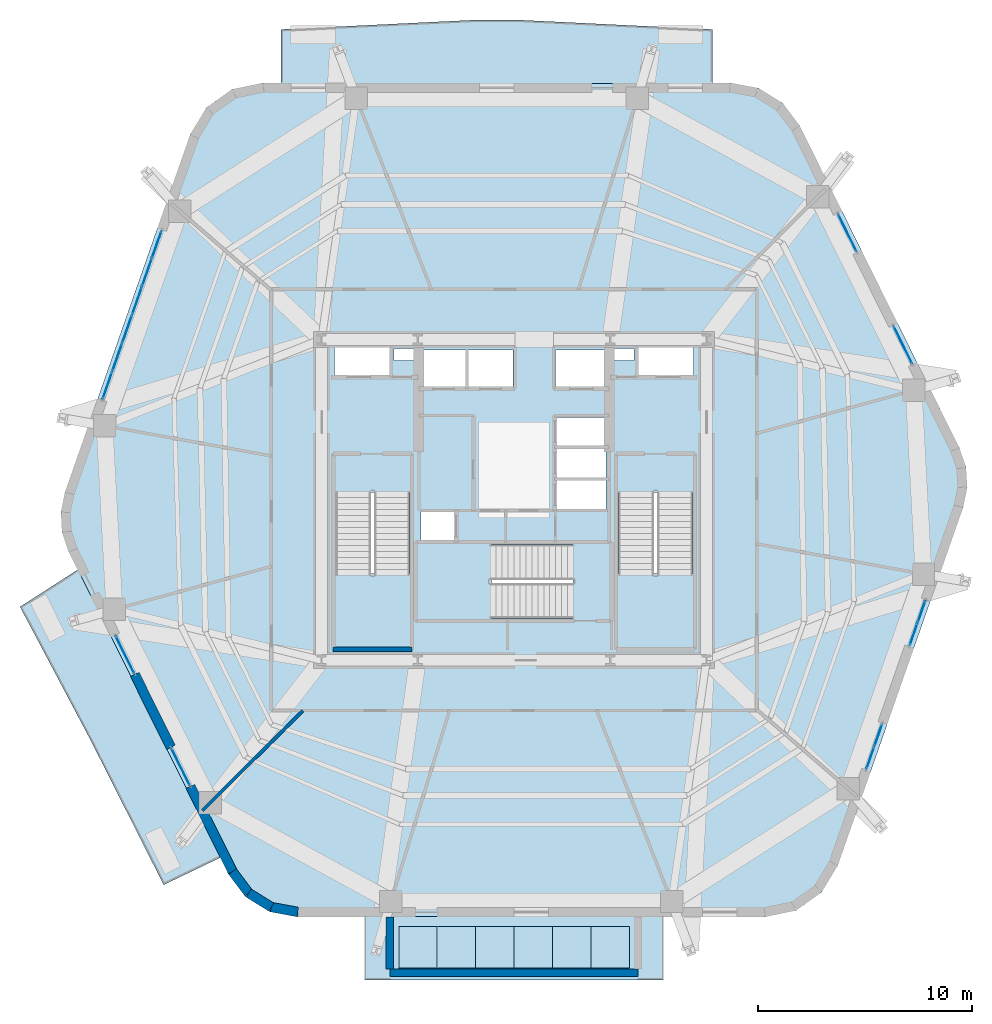
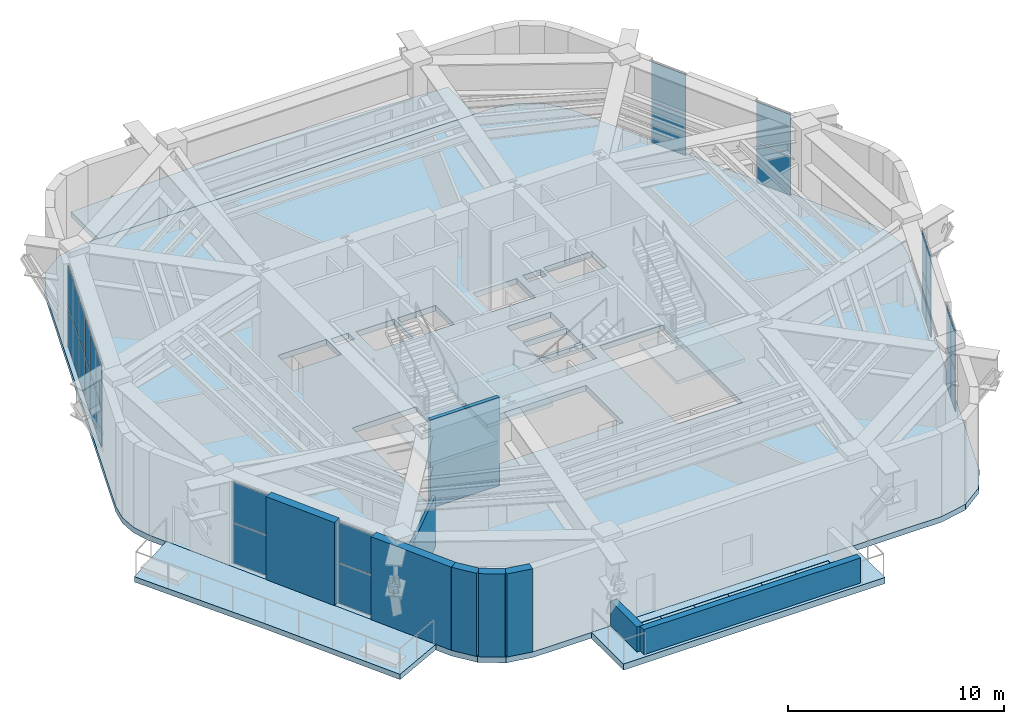
# One storey, part 12 of 18: 34 plates, 9 walls, 7 slabs, 10 elements without a shape of their own.
"""IFC4 building model written with IfcOpenShell, lengths in metres."""

from ifc_helpers import new_model, si_unit, direction, frame, frame_2d, origin, origin_2d, place, context, subcontext, project, spatial, polyline, rectangle, outline, extrude, material, layer, layer_set, type_object, element, aggregate, save


model = new_model("IFC4")

# Units and contexts
model_context = context("Model", 3, precision=1e-05, world=origin(), true_north=direction((0.0, 1.0)))
body_context = subcontext(model_context, "Body", "Model", "MODEL_VIEW")
ifc_project = project(units=[si_unit("LENGTHUNIT", "METRE"), si_unit("AREAUNIT", "SQUARE_METRE"), si_unit("VOLUMEUNIT", "CUBIC_METRE"), si_unit("PLANEANGLEUNIT", "RADIAN"), si_unit("MASSUNIT", "GRAM", prefix="KILO")], contexts=[model_context])

# Site, building, storey
site_placement = place(None, origin())
site = spatial("IfcSite", under=ifc_project, at=site_placement, CompositionType="ELEMENT")
building_placement = place(site_placement, origin())
building = spatial("IfcBuilding", under=site, at=building_placement, Name="Kilnhurst Terrace Hotel", CompositionType="ELEMENT")
storey_placement = place(building_placement, frame((0.0, 0.0, 201.5)))
storey = spatial("IfcBuildingStorey", under=building, at=storey_placement, Name="L50", CompositionType="ELEMENT", Elevation=201.5)

# Plates
ifc_material_1 = material(Name="Cast Acrylic PMMA Structural Panel")
ifc_layer_1 = layer(ifc_material_1, 0.199951171875, Name="Cast Acrylic PMMA Structural Panel")
ifc_layer_set_1 = layer_set([ifc_layer_1], Name="Cast Acrylic PMMA Structural Panel")
plate_type_1 = type_object("IfcPlateType", Name="PLT-PMMA-200", PredefinedType="USERDEFINED", material=ifc_layer_set_1)
for number, where, z_axis, x_axis, name in (
    (1, (-4.5, -20.925048828125, -0.22021484375), (0.0, 0.0, 1.0), (1.0, 0.0, 0.0), "L50 Sky Pool Cast PMMA Acrylic Floor Panel 1"),
    (2, (-2.699951171875, -20.925048828125, -0.22021484375), (0.0, 0.0, 1.0), (1.0, 0.0, 0.0), "L50 Sky Pool Cast PMMA Acrylic Floor Panel 2"),
    (3, (-0.89990234375, -20.925048828125, -0.22021484375), (0.0, 0.0, 1.0), (1.0, 0.0, 0.0), "L50 Sky Pool Cast PMMA Acrylic Floor Panel 3"),
    (4, (0.89990234375, -20.925048828125, -0.22021484375), (0.0, 0.0, 1.0), (1.0, 0.0, 0.0), "L50 Sky Pool Cast PMMA Acrylic Floor Panel 4"),
    (5, (2.699951171875, -20.925048828125, -0.22021484375), (0.0, 0.0, 1.0), (1.0, 0.0, 0.0), "L50 Sky Pool Cast PMMA Acrylic Floor Panel 5"),
    (6, (4.5, -20.925048828125, -0.22021484375), (0.0, 0.0, 1.0), (1.0, 0.0, 0.0), "L50 Sky Pool Cast PMMA Acrylic Floor Panel 6"),
):
    element("IfcPlate", number, at=place(storey_placement, frame(where, z_axis=z_axis, x_axis=x_axis)), inside=storey, type_object=plate_type_1, Name=name, ObjectType="ACRYLIC_PANEL", PredefinedType="USERDEFINED", context=body_context, shape_type="SweptSolid", body=[
        extrude(rectangle(XDim=1.780029296875, YDim=1.949951171875, at=origin_2d()), origin(), (0.0, 0.0, 1.0), 0.199951171875),
    ])

# Curtain wall, plates
ifc_material_2 = material(Name="Anodized Aluminium Alloy 6063-T6 and Low-E Glass", Category="aluminium")
ifc_layer_2 = layer(ifc_material_2, 0.219970703125, Name="Anodized Aluminium Alloy 6063-T6 and Low-E Glass")
ifc_layer_set_2 = layer_set([ifc_layer_2], Name="Anodized Aluminium Alloy 6063-T6 and Low-E Glass")
curtain_wall_type = type_object("IfcCurtainWallType", Name="CW-SPA-L50", PredefinedType="NOTDEFINED", material=ifc_layer_set_2)
curtain_wall_1_placement = place(storey_placement, origin())
curtain_wall_1 = element("IfcCurtainWall", 7, at=curtain_wall_1_placement, inside=storey, type_object=curtain_wall_type, Name="L50 Curtain Wall CW-L50-F2-1", PredefinedType="NOTDEFINED")
ifc_material_3 = material(Name="Triple Laminated Low-E Hurricane Insulated Glass", Category="glass")
ifc_layer_3 = layer(ifc_material_3, 0.031982421875, Name="Triple Laminated Low-E Hurricane Insulated Glass")
ifc_layer_set_3 = layer_set([ifc_layer_3], Name="Triple Laminated Low-E Hurricane Insulated Glass")
plate_type_2 = type_object("IfcPlateType", Name="PNL-GLZ-32", PredefinedType="CURTAIN_PANEL", material=ifc_layer_set_3)
plate_1_placement = place(storey_placement, frame((16.661376953125, -12.0673828125, 0.06494140625), z_axis=(0.0, 0.0, 1.0), x_axis=(0.33045418989, 0.943822032157, 0.0)))
plate_1 = element("IfcPlate", 8, at=plate_1_placement, type_object=plate_type_2, Name="CWA-4 panel 1.1", PredefinedType="CURTAIN_PANEL", context=body_context, shape_type="SweptSolid", body=[
    extrude(rectangle(XDim=1.053955078125, YDim=0.031982421875, at=origin_2d()), origin(), (0.0, 0.0, 1.0), 2.25244140625),
])
plate_2_placement = place(storey_placement, frame((16.661376953125, -12.0673828125, 2.382568359375), z_axis=(0.0, 0.0, 1.0), x_axis=(0.33045418989, 0.943822032157, 0.0)))
plate_2 = element("IfcPlate", 9, at=plate_2_placement, type_object=plate_type_2, Name="CWA-4 panel 1.2", PredefinedType="CURTAIN_PANEL", context=body_context, shape_type="SweptSolid", body=[
    extrude(rectangle(XDim=1.053955078125, YDim=0.031982421875, at=origin_2d()), origin(), (0.0, 0.0, 1.0), 2.25244140625),
])
plate_3_placement = place(storey_placement, frame((17.03271484375, -11.006591796875, 0.06494140625), z_axis=(0.0, 0.0, 1.0), x_axis=(0.33045418989, 0.943822032157, 0.0)))
plate_3 = element("IfcPlate", 10, at=plate_3_placement, type_object=plate_type_2, Name="CWA-4 panel 2.1", PredefinedType="CURTAIN_PANEL", context=body_context, shape_type="SweptSolid", body=[
    extrude(rectangle(XDim=1.053955078125, YDim=0.031982421875, at=origin_2d()), origin(), (0.0, 0.0, 1.0), 2.25244140625),
])
plate_4_placement = place(storey_placement, frame((17.03271484375, -11.006591796875, 2.382568359375), z_axis=(0.0, 0.0, 1.0), x_axis=(0.33045418989, 0.943822032157, 0.0)))
plate_4 = element("IfcPlate", 11, at=plate_4_placement, type_object=plate_type_2, Name="CWA-4 panel 2.2", PredefinedType="CURTAIN_PANEL", context=body_context, shape_type="SweptSolid", body=[
    extrude(rectangle(XDim=1.053955078125, YDim=0.031982421875, at=origin_2d()), origin(), (0.0, 0.0, 1.0), 2.25244140625),
])
aggregate(curtain_wall_1, [plate_1, plate_2, plate_3, plate_4])

curtain_wall_2_placement = place(storey_placement, origin())
curtain_wall_2 = element("IfcCurtainWall", 12, at=curtain_wall_2_placement, inside=storey, type_object=curtain_wall_type, Name="L50 Curtain Wall CW-L50-F2-2", PredefinedType="NOTDEFINED")
plate_5_placement = place(storey_placement, frame((18.682861328125, -6.293212890625, 0.06494140625), z_axis=(0.0, 0.0, 1.0), x_axis=(0.33045418989, 0.943822032157, 0.0)))
plate_5 = element("IfcPlate", 13, at=plate_5_placement, type_object=plate_type_2, Name="CWA-4 panel 1.1", PredefinedType="CURTAIN_PANEL", context=body_context, shape_type="SweptSolid", body=[
    extrude(rectangle(XDim=1.053955078125, YDim=0.031982421875, at=origin_2d()), origin(), (0.0, 0.0, 1.0), 2.25244140625),
])
plate_6_placement = place(storey_placement, frame((18.682861328125, -6.293212890625, 2.382568359375), z_axis=(0.0, 0.0, 1.0), x_axis=(0.33045418989, 0.943822032157, 0.0)))
plate_6 = element("IfcPlate", 14, at=plate_6_placement, type_object=plate_type_2, Name="CWA-4 panel 1.2", PredefinedType="CURTAIN_PANEL", context=body_context, shape_type="SweptSolid", body=[
    extrude(rectangle(XDim=1.053955078125, YDim=0.031982421875, at=origin_2d()), origin(), (0.0, 0.0, 1.0), 2.25244140625),
])
plate_7_placement = place(storey_placement, frame((19.05419921875, -5.232177734375, 0.06494140625), z_axis=(0.0, 0.0, 1.0), x_axis=(0.33045418989, 0.943822032157, 0.0)))
plate_7 = element("IfcPlate", 15, at=plate_7_placement, type_object=plate_type_2, Name="CWA-4 panel 2.1", PredefinedType="CURTAIN_PANEL", context=body_context, shape_type="SweptSolid", body=[
    extrude(rectangle(XDim=1.053955078125, YDim=0.031982421875, at=origin_2d()), origin(), (0.0, 0.0, 1.0), 2.25244140625),
])
plate_8_placement = place(storey_placement, frame((19.05419921875, -5.232177734375, 2.382568359375), z_axis=(0.0, 0.0, 1.0), x_axis=(0.33045418989, 0.943822032157, 0.0)))
plate_8 = element("IfcPlate", 16, at=plate_8_placement, type_object=plate_type_2, Name="CWA-4 panel 2.2", PredefinedType="CURTAIN_PANEL", context=body_context, shape_type="SweptSolid", body=[
    extrude(rectangle(XDim=1.053955078125, YDim=0.031982421875, at=origin_2d()), origin(), (0.0, 0.0, 1.0), 2.25244140625),
])
aggregate(curtain_wall_2, [plate_5, plate_6, plate_7, plate_8])

curtain_wall_3_placement = place(storey_placement, origin())
curtain_wall_3 = element("IfcCurtainWall", 17, at=curtain_wall_3_placement, inside=storey, type_object=curtain_wall_type, Name="L50 Curtain Wall CW-L50-F3-1", PredefinedType="NOTDEFINED")
plate_9_placement = place(storey_placement, frame((18.1875, 7.24658203125, 0.06494140625), z_axis=(0.0, 0.0, 1.0), x_axis=(-0.444239429791, 0.895908102999, 0.0)))
plate_9 = element("IfcPlate", 18, at=plate_9_placement, type_object=plate_type_2, Name="CWA-4 panel 1.1", PredefinedType="CURTAIN_PANEL", context=body_context, shape_type="SweptSolid", body=[
    extrude(rectangle(XDim=1.906005859375, YDim=0.031982421875, at=origin_2d()), origin(), (0.0, 0.0, 1.0), 2.25244140625),
])
plate_10_placement = place(storey_placement, frame((18.1875, 7.24658203125, 2.382568359375), z_axis=(0.0, 0.0, 1.0), x_axis=(-0.444239429791, 0.895908102999, 0.0)))
plate_10 = element("IfcPlate", 19, at=plate_10_placement, type_object=plate_type_2, Name="CWA-4 panel 1.2", PredefinedType="CURTAIN_PANEL", context=body_context, shape_type="SweptSolid", body=[
    extrude(rectangle(XDim=1.906005859375, YDim=0.031982421875, at=origin_2d()), origin(), (0.0, 0.0, 1.0), 2.25244140625),
])
aggregate(curtain_wall_3, [plate_9, plate_10])

curtain_wall_4_placement = place(storey_placement, origin())
curtain_wall_4 = element("IfcCurtainWall", 20, at=curtain_wall_4_placement, inside=storey, type_object=curtain_wall_type, Name="L50 Curtain Wall CW-L50-F3-2", PredefinedType="NOTDEFINED")
plate_11_placement = place(storey_placement, frame((15.59033203125, 12.48388671875, 0.06494140625), z_axis=(0.0, 0.0, 1.0), x_axis=(-0.44427865938, 0.895888649788, 0.0)))
plate_11 = element("IfcPlate", 21, at=plate_11_placement, type_object=plate_type_2, Name="CWA-4 panel 1.1", PredefinedType="CURTAIN_PANEL", context=body_context, shape_type="SweptSolid", body=[
    extrude(rectangle(XDim=1.906005859375, YDim=0.031982421875, at=origin_2d()), origin(), (0.0, 0.0, 1.0), 2.25244140625),
])
plate_12_placement = place(storey_placement, frame((15.59033203125, 12.48388671875, 2.382568359375), z_axis=(0.0, 0.0, 1.0), x_axis=(-0.44427865938, 0.895888649788, 0.0)))
plate_12 = element("IfcPlate", 22, at=plate_12_placement, type_object=plate_type_2, Name="CWA-4 panel 1.2", PredefinedType="CURTAIN_PANEL", context=body_context, shape_type="SweptSolid", body=[
    extrude(rectangle(XDim=1.906005859375, YDim=0.031982421875, at=origin_2d()), origin(), (0.0, 0.0, 1.0), 2.25244140625),
])
aggregate(curtain_wall_4, [plate_11, plate_12])

curtain_wall_5_placement = place(storey_placement, origin())
curtain_wall_5 = element("IfcCurtainWall", 23, at=curtain_wall_5_placement, inside=storey, type_object=curtain_wall_type, Name="L50 Curtain Wall CW-L50-F5-1", PredefinedType="NOTDEFINED")
plate_13_placement = place(storey_placement, frame((-16.7021484375, 11.950927734375, 0.06494140625), z_axis=(0.0, 0.0, 1.0), x_axis=(-0.330441770176, -0.943826380497, 0.0)))
plate_13 = element("IfcPlate", 24, at=plate_13_placement, type_object=plate_type_2, Name="CWA-4 panel 1.1", PredefinedType="CURTAIN_PANEL", context=body_context, shape_type="SweptSolid", body=[
    extrude(rectangle(XDim=1.301025390625, YDim=0.031982421875, at=origin_2d()), origin(), (0.0, 0.0, 1.0), 2.25244140625),
])
plate_14_placement = place(storey_placement, frame((-16.7021484375, 11.950927734375, 2.382568359375), z_axis=(0.0, 0.0, 1.0), x_axis=(-0.330441770176, -0.943826380497, 0.0)))
plate_14 = element("IfcPlate", 25, at=plate_14_placement, type_object=plate_type_2, Name="CWA-4 panel 1.2", PredefinedType="CURTAIN_PANEL", context=body_context, shape_type="SweptSolid", body=[
    extrude(rectangle(XDim=1.301025390625, YDim=0.031982421875, at=origin_2d()), origin(), (0.0, 0.0, 1.0), 2.25244140625),
])
plate_15_placement = place(storey_placement, frame((-17.160888671875, 10.640380859375, 0.06494140625), z_axis=(0.0, 0.0, 1.0), x_axis=(-0.330441770176, -0.943826380497, 0.0)))
plate_15 = element("IfcPlate", 26, at=plate_15_placement, type_object=plate_type_2, Name="CWA-4 panel 2.1", PredefinedType="CURTAIN_PANEL", context=body_context, shape_type="SweptSolid", body=[
    extrude(rectangle(XDim=1.3359375, YDim=0.031982421875, at=origin_2d()), origin(), (0.0, 0.0, 1.0), 2.25244140625),
])
plate_16_placement = place(storey_placement, frame((-17.160888671875, 10.640380859375, 2.382568359375), z_axis=(0.0, 0.0, 1.0), x_axis=(-0.330441770176, -0.943826380497, 0.0)))
plate_16 = element("IfcPlate", 27, at=plate_16_placement, type_object=plate_type_2, Name="CWA-4 panel 2.2", PredefinedType="CURTAIN_PANEL", context=body_context, shape_type="SweptSolid", body=[
    extrude(rectangle(XDim=1.3359375, YDim=0.031982421875, at=origin_2d()), origin(), (0.0, 0.0, 1.0), 2.25244140625),
])
plate_17_placement = place(storey_placement, frame((-17.62548828125, 9.3134765625, 0.06494140625), z_axis=(0.0, 0.0, 1.0), x_axis=(-0.330441770176, -0.943826380497, 0.0)))
plate_17 = element("IfcPlate", 28, at=plate_17_placement, type_object=plate_type_2, Name="CWA-4 panel 3.1", PredefinedType="CURTAIN_PANEL", context=body_context, shape_type="SweptSolid", body=[
    extrude(rectangle(XDim=1.3359375, YDim=0.031982421875, at=origin_2d()), origin(), (0.0, 0.0, 1.0), 2.25244140625),
])
plate_18_placement = place(storey_placement, frame((-17.62548828125, 9.3134765625, 2.382568359375), z_axis=(0.0, 0.0, 1.0), x_axis=(-0.330441770176, -0.943826380497, 0.0)))
plate_18 = element("IfcPlate", 29, at=plate_18_placement, type_object=plate_type_2, Name="CWA-4 panel 3.2", PredefinedType="CURTAIN_PANEL", context=body_context, shape_type="SweptSolid", body=[
    extrude(rectangle(XDim=1.3359375, YDim=0.031982421875, at=origin_2d()), origin(), (0.0, 0.0, 1.0), 2.25244140625),
])
plate_19_placement = place(storey_placement, frame((-18.090087890625, 7.986328125, 0.06494140625), z_axis=(0.0, 0.0, 1.0), x_axis=(-0.330441770176, -0.943826380497, 0.0)))
plate_19 = element("IfcPlate", 30, at=plate_19_placement, type_object=plate_type_2, Name="CWA-4 panel 4.1", PredefinedType="CURTAIN_PANEL", context=body_context, shape_type="SweptSolid", body=[
    extrude(rectangle(XDim=1.3359375, YDim=0.031982421875, at=origin_2d()), origin(), (0.0, 0.0, 1.0), 2.25244140625),
])
plate_20_placement = place(storey_placement, frame((-18.090087890625, 7.986328125, 2.382568359375), z_axis=(0.0, 0.0, 1.0), x_axis=(-0.330441770176, -0.943826380497, 0.0)))
plate_20 = element("IfcPlate", 31, at=plate_20_placement, type_object=plate_type_2, Name="CWA-4 panel 4.2", PredefinedType="CURTAIN_PANEL", context=body_context, shape_type="SweptSolid", body=[
    extrude(rectangle(XDim=1.3359375, YDim=0.031982421875, at=origin_2d()), origin(), (0.0, 0.0, 1.0), 2.25244140625),
])
plate_21_placement = place(storey_placement, frame((-18.5546875, 6.659423828125, 0.06494140625), z_axis=(0.0, 0.0, 1.0), x_axis=(-0.330441770176, -0.943826380497, 0.0)))
plate_21 = element("IfcPlate", 32, at=plate_21_placement, type_object=plate_type_2, Name="CWA-4 panel 5.1", PredefinedType="CURTAIN_PANEL", context=body_context, shape_type="SweptSolid", body=[
    extrude(rectangle(XDim=1.3359375, YDim=0.031982421875, at=origin_2d()), origin(), (0.0, 0.0, 1.0), 2.25244140625),
])
plate_22_placement = place(storey_placement, frame((-18.5546875, 6.659423828125, 2.382568359375), z_axis=(0.0, 0.0, 1.0), x_axis=(-0.330441770176, -0.943826380497, 0.0)))
plate_22 = element("IfcPlate", 33, at=plate_22_placement, type_object=plate_type_2, Name="CWA-4 panel 5.2", PredefinedType="CURTAIN_PANEL", context=body_context, shape_type="SweptSolid", body=[
    extrude(rectangle(XDim=1.3359375, YDim=0.031982421875, at=origin_2d()), origin(), (0.0, 0.0, 1.0), 2.25244140625),
])
plate_23_placement = place(storey_placement, frame((-19.013427734375, 5.348876953125, 0.06494140625), z_axis=(0.0, 0.0, 1.0), x_axis=(-0.330441770176, -0.943826380497, 0.0)))
plate_23 = element("IfcPlate", 34, at=plate_23_placement, type_object=plate_type_2, Name="CWA-4 panel 6.1", PredefinedType="CURTAIN_PANEL", context=body_context, shape_type="SweptSolid", body=[
    extrude(rectangle(XDim=1.301025390625, YDim=0.031982421875, at=origin_2d()), origin(), (0.0, 0.0, 1.0), 2.25244140625),
])
plate_24_placement = place(storey_placement, frame((-19.013427734375, 5.348876953125, 2.382568359375), z_axis=(0.0, 0.0, 1.0), x_axis=(-0.330441770176, -0.943826380497, 0.0)))
plate_24 = element("IfcPlate", 35, at=plate_24_placement, type_object=plate_type_2, Name="CWA-4 panel 6.2", PredefinedType="CURTAIN_PANEL", context=body_context, shape_type="SweptSolid", body=[
    extrude(rectangle(XDim=1.301025390625, YDim=0.031982421875, at=origin_2d()), origin(), (0.0, 0.0, 1.0), 2.25244140625),
])
aggregate(curtain_wall_5, [plate_13, plate_14, plate_15, plate_16, plate_17, plate_18, plate_19, plate_20, plate_21, plate_22, plate_23, plate_24])

curtain_wall_6_placement = place(storey_placement, origin())
curtain_wall_6 = element("IfcCurtainWall", 36, at=curtain_wall_6_placement, inside=storey, type_object=curtain_wall_type, Name="L50 Curtain Wall CW-L50-F6-1", PredefinedType="NOTDEFINED")
plate_25_placement = place(storey_placement, frame((-18.1875, -7.24658203125, 0.06494140625), z_axis=(0.0, 0.0, 1.0), x_axis=(0.444239429791, -0.895908102999, 0.0)))
plate_25 = element("IfcPlate", 37, at=plate_25_placement, type_object=plate_type_2, Name="CWA-4 panel 1.1", PredefinedType="CURTAIN_PANEL", context=body_context, shape_type="SweptSolid", body=[
    extrude(rectangle(XDim=1.906005859375, YDim=0.031982421875, at=origin_2d()), origin(), (0.0, 0.0, 1.0), 2.25244140625),
])
plate_26_placement = place(storey_placement, frame((-18.1875, -7.24658203125, 2.382568359375), z_axis=(0.0, 0.0, 1.0), x_axis=(0.444239429791, -0.895908102999, 0.0)))
plate_26 = element("IfcPlate", 38, at=plate_26_placement, type_object=plate_type_2, Name="CWA-4 panel 1.2", PredefinedType="CURTAIN_PANEL", context=body_context, shape_type="SweptSolid", body=[
    extrude(rectangle(XDim=1.906005859375, YDim=0.031982421875, at=origin_2d()), origin(), (0.0, 0.0, 1.0), 2.25244140625),
])
aggregate(curtain_wall_6, [plate_25, plate_26])

curtain_wall_7_placement = place(storey_placement, origin())
curtain_wall_7 = element("IfcCurtainWall", 39, at=curtain_wall_7_placement, inside=storey, type_object=curtain_wall_type, Name="L50 Curtain Wall CW-L50-F6-2", PredefinedType="NOTDEFINED")
plate_27_placement = place(storey_placement, frame((-15.59033203125, -12.48388671875, 0.06494140625), z_axis=(0.0, 0.0, 1.0), x_axis=(0.44427865938, -0.895888649788, 0.0)))
plate_27 = element("IfcPlate", 40, at=plate_27_placement, type_object=plate_type_2, Name="CWA-4 panel 1.1", PredefinedType="CURTAIN_PANEL", context=body_context, shape_type="SweptSolid", body=[
    extrude(rectangle(XDim=1.906005859375, YDim=0.031982421875, at=origin_2d()), origin(), (0.0, 0.0, 1.0), 2.25244140625),
])
plate_28_placement = place(storey_placement, frame((-15.59033203125, -12.48388671875, 2.382568359375), z_axis=(0.0, 0.0, 1.0), x_axis=(0.44427865938, -0.895888649788, 0.0)))
plate_28 = element("IfcPlate", 41, at=plate_28_placement, type_object=plate_type_2, Name="CWA-4 panel 1.2", PredefinedType="CURTAIN_PANEL", context=body_context, shape_type="SweptSolid", body=[
    extrude(rectangle(XDim=1.906005859375, YDim=0.031982421875, at=origin_2d()), origin(), (0.0, 0.0, 1.0), 2.25244140625),
])
aggregate(curtain_wall_7, [plate_27, plate_28])

# Slabs
ifc_material_4 = material(Name="Concrete C50/60", Category="concrete")
ifc_layer_4 = layer(ifc_material_4, 0.300048828125, Name="Concrete C50/60")
ifc_layer_set_4 = layer_set([ifc_layer_4], Name="Concrete C50/60")
slab_type_1 = type_object("IfcSlabType", Name="SLB-BAL-300", PredefinedType="FLOOR", material=ifc_layer_set_4)
slab_1_placement = place(storey_placement, frame((0.0, 0.0, -0.300048828125)))
element("IfcSlab", 42, at=slab_1_placement, inside=storey, type_object=slab_type_1, Name="L50 Cantilevered Planted Terrace Slab BAL-L1A", PredefinedType="FLOOR", context=body_context, shape_type="SweptSolid", body=[
    extrude(outline(polyline([(-1.83642578125, 22.43994140625), (0.221923828125, 22.43994140625), (9.279296875, 22.0), (9.279296875, 19.47998046875), (-10.8935546875, 19.47998046875), (-10.8935546875, 22.0), (-1.83642578125, 22.43994140625)])), origin(), (0.0, 0.0, 1.0), 0.300048828125),
])
slab_2_placement = place(storey_placement, frame((0.0, 0.0, -0.300048828125)))
element("IfcSlab", 43, at=slab_2_placement, inside=storey, type_object=slab_type_1, Name="L50 Cantilevered Planted Terrace Slab BAL-L2A", PredefinedType="FLOOR", context=body_context, shape_type="SweptSolid", body=[
    extrude(outline(polyline([(-23.100830078125, -5.0), (-20.393310546875, -3.25927734375), (-13.718505859375, -16.72021484375), (-16.384033203125, -18.0), (-19.769287109375, -11.293212890625), (-23.100830078125, -5.0)])), origin(), (0.0, 0.0, 1.0), 0.300048828125),
])
ifc_layer_5 = layer(ifc_material_4, 0.320068359375, Name="Concrete C50/60")
ifc_layer_set_5 = layer_set([ifc_layer_5], Name="Concrete C50/60")
slab_type_2 = type_object("IfcSlabType", Name="SLB-FLR-320", PredefinedType="FLOOR", material=ifc_layer_set_5)
slab_3_placement = place(storey_placement, frame((0.0, 0.0, -0.320068359375)))
element("IfcSlab", 44, at=slab_3_placement, inside=storey, type_object=slab_type_2, Name="L50 Structural Floor Slab", PredefinedType="FLOOR", context=body_context, shape_type="SweptSolid", body=[
    extrude(outline(polyline([(-13.3544921875, -17.499267578125), (-12.5576171875, -18.5576171875), (-11.431640625, -19.256103515625), (-10.12939453125, -19.5), (11.74365234375, -19.5), (13.18310546875, -19.19970703125), (14.38232421875, -18.348876953125), (15.141357421875, -17.089599609375), (20.9990234375, -0.3583984375), (21.192138671875, 0.57568359375), (21.13330078125, 1.527587890625), (20.82666015625, 2.4306640625), (13.3544921875, 17.499267578125), (12.5576171875, 18.5576171875), (11.431640625, 19.256103515625), (10.12939453125, 19.5), (-11.74365234375, 19.5), (-13.18310546875, 19.19970703125), (-14.38232421875, 18.348876953125), (-15.141357421875, 17.089599609375), (-20.9990234375, 0.3583984375), (-21.192138671875, -0.57568359375), (-21.13330078125, -1.527587890625), (-20.82666015625, -2.4306640625), (-13.3544921875, -17.499267578125)]), holes=[polyline([(2.7548828125, -2.080078125), (2.7548828125, -5.550048828125), (-4.5, -5.550048828125), (-4.5, -2.080078125), (2.7548828125, -2.080078125)]), polyline([(-4.8798828125, 0.35498046875), (-4.8798828125, -6.89990234375), (-8.35009765625, -6.89990234375), (-8.35009765625, 0.35498046875), (-4.8798828125, 0.35498046875)]), polyline([(-4.35009765625, -1.89990234375), (-4.35009765625, -0.550048828125), (-2.800048828125, -0.550048828125), (-2.800048828125, -1.89990234375), (-4.35009765625, -1.89990234375)]), polyline([(-4.300048828125, 5.25), (-4.300048828125, 7.0), (-2.25, 7.0), (-2.25, 5.25), (-4.300048828125, 5.25)]), polyline([(-2.1201171875, 5.25), (-2.1201171875, 7.0), (-0.050048828125, 7.0), (-0.050048828125, 5.25), (-2.1201171875, 5.25)]), polyline([(-8.39990234375, 5.75), (-8.39990234375, 7.14990234375), (-5.800048828125, 7.14990234375), (-5.800048828125, 5.75), (-8.39990234375, 5.75)]), polyline([(-5.6201171875, 6.52001953125), (-5.6201171875, 7.080078125), (-4.659912109375, 7.080078125), (-4.659912109375, 6.52001953125), (-5.6201171875, 6.52001953125)]), polyline([(4.8798828125, 0.35498046875), (8.35009765625, 0.35498046875), (8.35009765625, -6.89990234375), (4.8798828125, -6.89990234375), (4.8798828125, 0.35498046875)]), polyline([(1.949951171875, -0.429931640625), (1.949951171875, 0.89990234375), (4.300048828125, 0.89990234375), (4.300048828125, -0.429931640625), (1.949951171875, -0.429931640625)]), polyline([(1.949951171875, 1.050048828125), (1.949951171875, 2.3798828125), (4.300048828125, 2.3798828125), (4.300048828125, 1.050048828125), (1.949951171875, 1.050048828125)]), polyline([(1.949951171875, 2.530029296875), (1.949951171875, 3.860107421875), (4.300048828125, 3.860107421875), (4.300048828125, 2.530029296875), (1.949951171875, 2.530029296875)]), polyline([(1.949951171875, 5.25), (1.949951171875, 7.0), (4.300048828125, 7.0), (4.300048828125, 5.25), (1.949951171875, 5.25)]), polyline([(5.800048828125, 5.75), (5.800048828125, 7.14990234375), (8.39990234375, 7.14990234375), (8.39990234375, 5.75), (5.800048828125, 5.75)]), polyline([(4.659912109375, 6.52001953125), (4.659912109375, 7.080078125), (5.6201171875, 7.080078125), (5.6201171875, 6.52001953125), (4.659912109375, 6.52001953125)])]), origin(), (0.0, 0.0, 1.0), 0.320068359375),
])
ifc_layer_6 = layer(ifc_material_4, 0.35009765625, Name="Concrete C50/60")
ifc_layer_set_6 = layer_set([ifc_layer_6], Name="Concrete C50/60")
slab_type_3 = type_object("IfcSlabType", Name="SLB-POOL-350", PredefinedType="FLOOR", material=ifc_layer_set_6)
slab_4_placement = place(storey_placement, frame((0.0, 0.0, -0.35009765625)))
element("IfcSlab", 45, at=slab_4_placement, inside=storey, type_object=slab_type_3, Name="L50 Cantilevered Sky Pool Structural Rim Slab", PredefinedType="FLOOR", context=body_context, shape_type="SweptSolid", body=[
    extrude(outline(polyline([(7.0, -22.449951171875), (-7.0, -22.449951171875), (-7.0, -19.47998046875), (7.0, -19.47998046875), (7.0, -22.449951171875)]), holes=[polyline([(5.39990234375, -21.89990234375), (5.39990234375, -19.949951171875), (-5.39990234375, -19.949951171875), (-5.39990234375, -21.89990234375), (5.39990234375, -21.89990234375)])]), origin(), (0.0, 0.0, 1.0), 0.35009765625),
])

# Stair, slab
stair_type = type_object("IfcStairType", Name="STR-CORE-1660", PredefinedType="HALF_TURN_STAIR", material=ifc_material_4)
stair_1_placement = place(storey_placement, origin())
stair_1 = element("IfcStair", 46, at=stair_1_placement, inside=storey, type_object=stair_type, Name="L50 ST-1", PredefinedType="HALF_TURN_STAIR")
ifc_layer_7 = layer(ifc_material_4, 0.199951171875, Name="Concrete C50/60")
ifc_layer_set_7 = layer_set([ifc_layer_7], Name="Concrete C50/60")
slab_type_4 = type_object("IfcSlabType", Name="SLB-ST-LND-200", PredefinedType="LANDING", material=ifc_layer_set_7)
slab_5_placement = place(storey_placement, frame((0.0, 0.0, 2.300048828125)))
slab_5 = element("IfcSlab", 47, at=slab_5_placement, type_object=slab_type_4, Name="ST-1 landing 1", PredefinedType="LANDING", context=body_context, shape_type="SweptSolid", body=[
    extrude(outline(polyline([(-8.429931640625, -3.449951171875), (-4.800048828125, -3.449951171875), (-4.800048828125, -6.97998046875), (-8.429931640625, -6.97998046875), (-8.429931640625, -3.449951171875)])), origin(), (0.0, 0.0, 1.0), 0.199951171875),
])
aggregate(stair_1, [slab_5])

stair_2_placement = place(storey_placement, origin())
stair_2 = element("IfcStair", 48, at=stair_2_placement, inside=storey, type_object=stair_type, Name="L50 ST-2", PredefinedType="HALF_TURN_STAIR")
slab_6_placement = place(storey_placement, frame((0.0, 0.0, 2.300048828125)))
slab_6 = element("IfcSlab", 49, at=slab_6_placement, type_object=slab_type_4, Name="ST-2 landing 1", PredefinedType="LANDING", context=body_context, shape_type="SweptSolid", body=[
    extrude(outline(polyline([(4.800048828125, -3.449951171875), (8.429931640625, -3.449951171875), (8.429931640625, -6.97998046875), (4.800048828125, -6.97998046875), (4.800048828125, -3.449951171875)])), origin(), (0.0, 0.0, 1.0), 0.199951171875),
])
aggregate(stair_2, [slab_6])

stair_3_placement = place(storey_placement, origin())
stair_3 = element("IfcStair", 50, at=stair_3_placement, inside=storey, type_object=stair_type, Name="L50 ST-3", PredefinedType="HALF_TURN_STAIR")
slab_7_placement = place(storey_placement, frame((0.0, 0.0, 2.300048828125)))
slab_7 = element("IfcSlab", 51, at=slab_7_placement, type_object=slab_type_4, Name="ST-3 landing 1", PredefinedType="LANDING", context=body_context, shape_type="SweptSolid", body=[
    extrude(outline(polyline([(-1.050048828125, -2.0), (-1.050048828125, -5.6298828125), (-4.580078125, -5.6298828125), (-4.580078125, -2.0), (-1.050048828125, -2.0)])), origin(), (0.0, 0.0, 1.0), 0.199951171875),
])
aggregate(stair_3, [slab_7])

# Walls
ifc_material_5 = material(Name="Precast concrete C40/50", Category="concrete")
ifc_layer_8 = layer(ifc_material_5, 0.449951171875, Name="Precast concrete C40/50")
ifc_layer_set_8 = layer_set([ifc_layer_8], Name="Precast concrete C40/50")
wall_type_1 = type_object("IfcWallType", Name="WL-BRK-450", PredefinedType="SOLIDWALL", material=ifc_layer_set_8)
wall_1_placement = place(storey_placement, frame((-13.162353515625, -17.380615234375, 0.0), z_axis=(0.0, 0.0, 1.0), x_axis=(0.601515770517, -0.798860925205, 0.0)))
element("IfcWall", 52, at=wall_1_placement, inside=storey, type_object=wall_type_1, Name="L50 Rounded Corner Brick Wall C1.1", PredefinedType="SOLIDWALL", context=body_context, shape_type="SweptSolid", body=[
    extrude(rectangle(XDim=1.261962890625, YDim=0.449951171875, at=frame_2d((0.630859375, 0.0))), origin(), (0.0, 0.0, 1.0), 4.699951171875),
])
wall_2_placement = place(storey_placement, frame((-12.4033203125, -18.388671875, 0.0), z_axis=(0.0, 0.0, 1.0), x_axis=(0.849795170926, -0.527113049991, 0.0)))
element("IfcWall", 53, at=wall_2_placement, inside=storey, type_object=wall_type_1, Name="L50 Rounded Corner Brick Wall C1.2", PredefinedType="SOLIDWALL", context=body_context, shape_type="SweptSolid", body=[
    extrude(rectangle(XDim=1.24072265625, YDim=0.449951171875, at=frame_2d((0.620361328125, 0.0))), origin(), (0.0, 0.0, 1.0), 4.699951171875),
])
wall_3_placement = place(storey_placement, frame((-11.348876953125, -19.042724609375, 0.0), z_axis=(0.0, 0.0, 1.0), x_axis=(0.982931267051, -0.183973161772, 0.0)))
element("IfcWall", 54, at=wall_3_placement, inside=storey, type_object=wall_type_1, Name="L50 Rounded Corner Brick Wall C1.3", PredefinedType="SOLIDWALL", context=body_context, shape_type="SweptSolid", body=[
    extrude(rectangle(XDim=1.261962890625, YDim=0.449951171875, at=frame_2d((0.630859375, 0.0))), origin(), (0.0, 0.0, 1.0), 4.699951171875),
])
wall_4_placement = place(storey_placement, frame((-17.73291015625, -8.1630859375, 0.0), z_axis=(0.0, 0.0, 1.0), x_axis=(0.444229875213, -0.895912840609, 0.0)))
element("IfcWall", 55, at=wall_4_placement, inside=storey, type_object=wall_type_1, Name="L50 Face 6 Brick Pier 2", PredefinedType="SOLIDWALL", context=body_context, shape_type="SweptSolid", body=[
    extrude(rectangle(XDim=3.7998046875, YDim=0.449951171875, at=frame_2d((1.89990234375, 0.0))), origin(), (0.0, 0.0, 1.0), 4.699951171875),
])
wall_5_placement = place(storey_placement, frame((-15.135986328125, -13.400390625, 0.0), z_axis=(0.0, 0.0, 1.0), x_axis=(0.444243648127, -0.895906011308, 0.0)))
element("IfcWall", 56, at=wall_5_placement, inside=storey, type_object=wall_type_1, Name="L50 Face 6 End Brick Pier", PredefinedType="SOLIDWALL", context=body_context, shape_type="SweptSolid", body=[
    extrude(rectangle(XDim=4.442626953125, YDim=0.449951171875, at=frame_2d((2.22119140625, 0.0))), origin(), (0.0, 0.0, 1.0), 4.699951171875),
])
ifc_material_6 = material(Name="150 mm Acoustic Gypsum Hospitality Partition")
ifc_layer_9 = layer(ifc_material_6, 0.14990234375, Name="150 mm Acoustic Gypsum Hospitality Partition")
ifc_layer_set_9 = layer_set([ifc_layer_9], Name="150 mm Acoustic Gypsum Hospitality Partition")
wall_type_2 = type_object("IfcWallType", Name="WL-PART-150", PredefinedType="PARTITIONING", material=ifc_layer_set_9)
wall_6_placement = place(storey_placement, frame((-9.87646484375, -9.85009765625, 0.0), z_axis=(0.0, 0.0, 1.0), x_axis=(-0.708044623933, -0.706167692917, 0.0)))
element("IfcWall", 57, at=wall_6_placement, inside=storey, type_object=wall_type_2, Name="L50 Interior Wall WL-L50-SCOL-08-1", PredefinedType="PARTITIONING", context=body_context, shape_type="SweptSolid", body=[
    extrude(rectangle(XDim=6.6337890625, YDim=0.14990234375, at=frame_2d((3.31689453125, 0.0))), origin(), (0.0, 0.0, 1.0), 2.889892578125),
])
ifc_layer_10 = layer(ifc_material_4, 0.35009765625, Name="Concrete C50/60")
ifc_layer_set_10 = layer_set([ifc_layer_10], Name="Concrete C50/60")
wall_type_3 = type_object("IfcWallType", Name="WL-POOL-350", PredefinedType="SOLIDWALL", material=ifc_layer_set_10)
wall_7_placement = place(storey_placement, frame((-5.800048828125, -22.10009765625, 0.0), z_axis=(0.0, 0.0, 1.0), x_axis=(1.0, 0.0, 0.0)))
element("IfcWall", 58, at=wall_7_placement, inside=storey, type_object=wall_type_3, Name="L50 Sky Pool South Tank Wall", PredefinedType="SOLIDWALL", context=body_context, shape_type="SweptSolid", body=[
    extrude(rectangle(XDim=11.60009765625, YDim=0.35009765625, at=frame_2d((5.800048828125, 0.0))), origin(), (0.0, 0.0, 1.0), 1.419921875),
])
wall_8_placement = place(storey_placement, frame((-5.800048828125, -21.929931640625, 0.0), z_axis=(0.0, 0.0, 1.0), x_axis=(0.0, 1.0, 0.0)))
element("IfcWall", 59, at=wall_8_placement, inside=storey, type_object=wall_type_3, Name="L50 Sky Pool West Tank Wall", PredefinedType="SOLIDWALL", context=body_context, shape_type="SweptSolid", body=[
    extrude(rectangle(XDim=2.429931640625, YDim=0.35009765625, at=frame_2d((1.21484375, 0.0))), origin(), (0.0, 0.0, 1.0), 1.419921875),
])
ifc_layer_11 = layer(ifc_material_4, 0.199951171875, Name="Concrete C50/60")
ifc_layer_set_11 = layer_set([ifc_layer_11], Name="Concrete C50/60")
wall_type_4 = type_object("IfcWallType", Name="WL-STAIR-RC-200", PredefinedType="SHEAR", material=ifc_layer_set_11)
wall_9_placement = place(storey_placement, frame((-8.4580078125, -6.985107421875, 0.0), z_axis=(0.0, 0.0, 1.0), x_axis=(1.0, 0.0, 0.0)))
element("IfcWall", 60, at=wall_9_placement, inside=storey, type_object=wall_type_4, Name="L50 Structural Stair Shaft Wall WL-L50-ST1-S", PredefinedType="SHEAR", context=body_context, shape_type="SweptSolid", body=[
    extrude(rectangle(XDim=3.68603515625, YDim=0.199951171875, at=frame_2d((1.843017578125, 0.0))), origin(), (0.0, 0.0, 1.0), 5.0),
])

save(model, "model.ifc")
